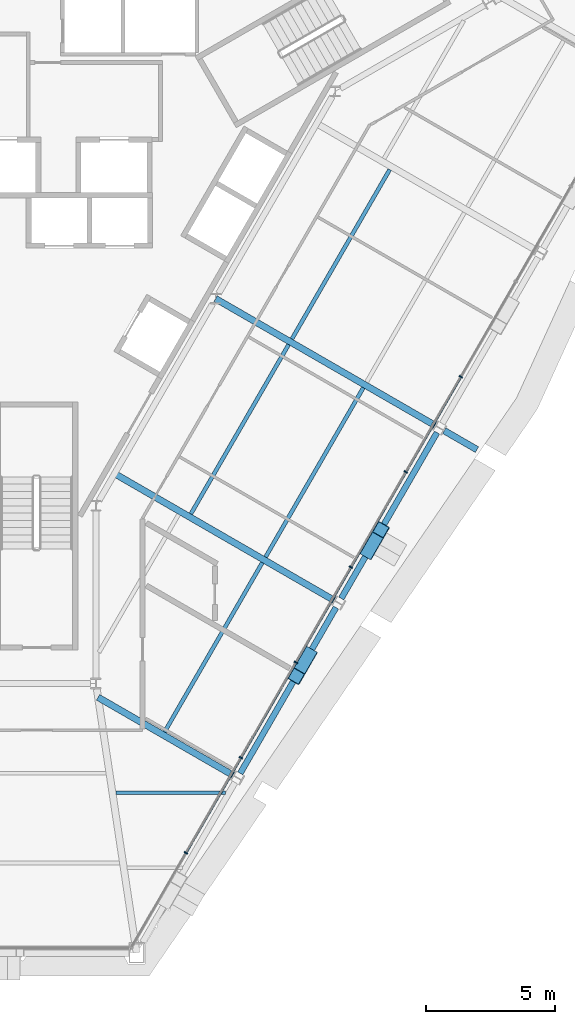
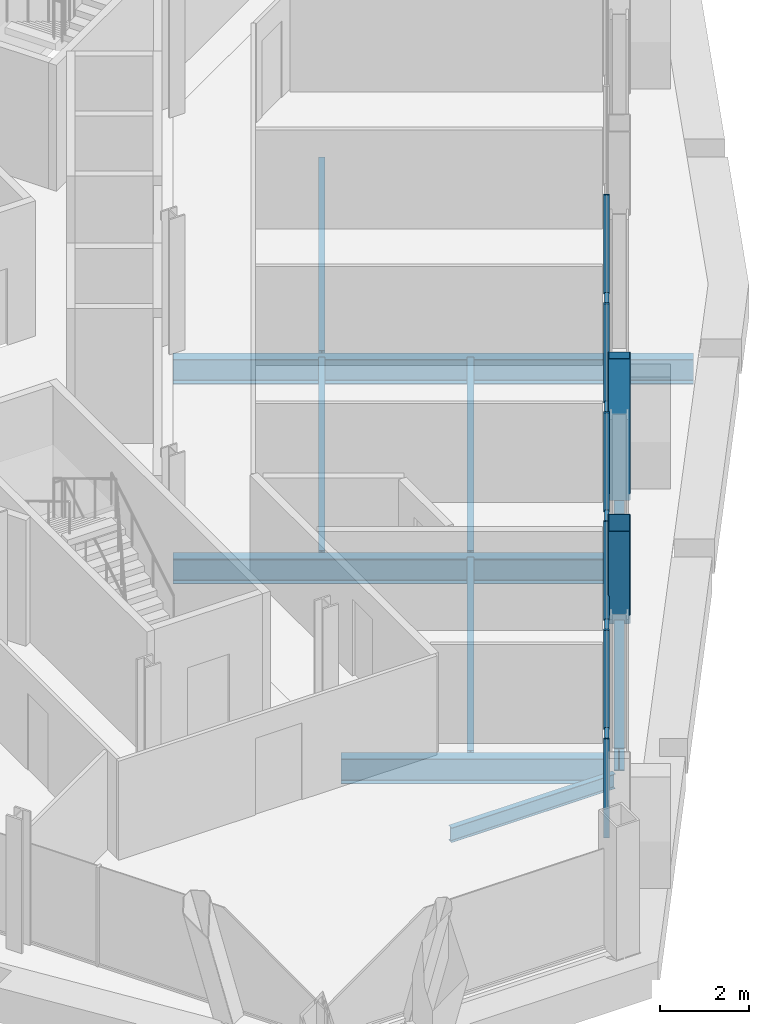
# One storey, part 6 of 17: 13 members, 11 beams, 1 element without a shape of its own.
"""IFC4 building model written with IfcOpenShell, lengths in metres."""

from ifc_helpers import new_model, si_unit, direction, frame, origin, origin_2d, place, context, subcontext, project, spatial, rectangle, hollow_rectangle, i_section, extrude, material, material_profile, profile_set, type_object, element, aggregate, save


model = new_model("IFC4")

# Units and contexts
model_context = context("Model", 3, precision=1e-05, world=origin(), true_north=direction((0.0, 1.0)))
body_context = subcontext(model_context, "Body", "Model", "MODEL_VIEW")
ifc_project = project(units=[si_unit("LENGTHUNIT", "METRE"), si_unit("AREAUNIT", "SQUARE_METRE"), si_unit("VOLUMEUNIT", "CUBIC_METRE"), si_unit("PLANEANGLEUNIT", "RADIAN"), si_unit("MASSUNIT", "GRAM", prefix="KILO")], contexts=[model_context])

# Site, building, storey
site_placement = place(None, origin())
site = spatial("IfcSite", under=ifc_project, at=site_placement, CompositionType="ELEMENT")
building_placement = place(site_placement, origin())
building = spatial("IfcBuilding", under=site, at=building_placement, Name="Verrane Prism Tower", CompositionType="ELEMENT")
storey_placement = place(building_placement, frame((0.0, 0.0, 182.10009765625)))
storey = spatial("IfcBuildingStorey", under=building, at=storey_placement, Name="L45", CompositionType="ELEMENT", Elevation=182.10009765625)

# Members
ifc_material_1 = material(Name="Steel A500 Grade C", Category="steel")
ifc_material_profile_1 = material_profile(ifc_material_1, hollow_rectangle(XDim=0.508056640625, YDim=0.508056640625, WallThickness=0.01904296875, InnerFilletRadius=0.009521484375, OuterFilletRadius=0.028564453125, at=origin_2d()), Name="HSS20x20x3/4")
ifc_profile_set_1 = profile_set([ifc_material_profile_1], Name="Steel A500 Grade C")
member_type_1 = type_object("IfcMemberType", Name="Facade brace HSS20x20x3/4", PredefinedType="BRACE", material=ifc_profile_set_1)
for number, where, z_axis, x_axis, name in (
    (1, (10.534912109375, -17.780029296875, -0.216796875), (-0.144565184454, -0.250228660193, 0.957333027249), (0.865882122788, -0.500248087888, 0.0), "Facade brace SE1 L45"),
    (2, (12.84521484375, -13.77978515625, -0.216796875), (0.144493588021, 0.250231304762, 0.957343144927), (-0.865991719008, 0.500058339205, 0.0), "Facade brace SE2 L45"),
):
    element("IfcMember", number, at=place(storey_placement, frame(where, z_axis=z_axis, x_axis=x_axis)), inside=storey, type_object=member_type_1, Name=name, PredefinedType="BRACE", context=body_context, shape_type="SweptSolid", body=[
        extrude(hollow_rectangle(XDim=0.508056640625, YDim=0.508056640625, WallThickness=0.01904296875, InnerFilletRadius=0.009521484375, OuterFilletRadius=0.028564453125, at=origin_2d()), origin(), (0.0, 0.0, 1.0), 3.338623046875),
    ])

# Beams
ifc_material_2 = material(Name="Steel A992", Category="steel")
ifc_material_profile_2 = material_profile(ifc_material_2, i_section(OverallWidth=0.140380859375, OverallDepth=0.40380859375, WebThickness=0.007080078125, FlangeThickness=0.01123046875, FilletRadius=0.01025390625, at=origin_2d()), Name="W16x31")
ifc_profile_set_2 = profile_set([ifc_material_profile_2], Name="Steel A992")
beam_type_1 = type_object("IfcBeamType", Name="Floor beam W16x31", PredefinedType="BEAM", material=ifc_profile_set_2)
beam_1_placement = place(storey_placement, frame((3.072021484375, -23.126708984375, -0.362060546875), z_axis=(1.0, 0.0, 0.0), x_axis=(0.0, 1.0, 0.0)))
element("IfcBeam", 3, at=beam_1_placement, inside=storey, type_object=beam_type_1, Name="Floor beam L45", PredefinedType="BEAM", context=body_context, shape_type="SweptSolid", body=[
    extrude(i_section(OverallWidth=0.140380859375, OverallDepth=0.40380859375, WebThickness=0.007080078125, FlangeThickness=0.01123046875, FilletRadius=0.01025390625, at=origin_2d()), origin(), (0.0, 0.0, 1.0), 4.2421875),
])
ifc_material_3 = material(Name="Steel A992", Category="steel")
ifc_material_profile_3 = material_profile(ifc_material_3, i_section(OverallWidth=0.15234375, OverallDepth=0.449462890625, WebThickness=0.007568359375, FlangeThickness=0.0107421875, FilletRadius=0.01025390625, at=origin_2d()), Name="W18x35")
ifc_profile_set_3 = profile_set([ifc_material_profile_3], Name="Steel A992")
beam_type_2 = type_object("IfcBeamType", Name="Floor beam W18x35", PredefinedType="BEAM", material=ifc_profile_set_3)
for number, where, z_axis, x_axis, name in (
    (4, (4.954345703125, -20.770751953125, -0.385009765625), (0.500013012896, 0.866017890655, 0.0), (-0.866017890655, 0.500013012896, 0.0), "Floor beam L45"),
    (5, (8.8642578125, -14.00048828125, -0.385009765625), (0.499988806058, 0.866031866513, 0.0), (-0.866031866513, 0.499988806058, 0.0), "Floor beam L45"),
):
    element("IfcBeam", number, at=place(storey_placement, frame(where, z_axis=z_axis, x_axis=x_axis)), inside=storey, type_object=beam_type_2, Name=name, PredefinedType="BEAM", context=body_context, shape_type="SweptSolid", body=[
        extrude(i_section(OverallWidth=0.15234375, OverallDepth=0.449462890625, WebThickness=0.007568359375, FlangeThickness=0.0107421875, FilletRadius=0.01025390625, at=origin_2d()), origin(), (0.0, 0.0, 1.0), 7.564208984375),
    ])
beam_2_placement = place(storey_placement, frame((5.973876953125, -12.330078125, -0.385009765625), z_axis=(0.500002782129, 0.866023797515, 0.0), x_axis=(-0.866023797515, 0.500002782129, 0.0)))
element("IfcBeam", 6, at=beam_2_placement, inside=storey, type_object=beam_type_2, Name="Floor beam L45", PredefinedType="BEAM", context=body_context, shape_type="SweptSolid", body=[
    extrude(i_section(OverallWidth=0.15234375, OverallDepth=0.449462890625, WebThickness=0.007568359375, FlangeThickness=0.0107421875, FilletRadius=0.01025390625, at=origin_2d()), origin(), (0.0, 0.0, 1.0), 7.56396484375),
])
beam_3_placement = place(storey_placement, frame((9.883544921875, -5.56005859375, -0.385009765625), z_axis=(0.499994291072, 0.86602869981, 0.0), x_axis=(-0.86602869981, 0.499994291072, 0.0)))
element("IfcBeam", 7, at=beam_3_placement, inside=storey, type_object=beam_type_2, Name="Floor beam L45", PredefinedType="BEAM", context=body_context, shape_type="SweptSolid", body=[
    extrude(i_section(OverallWidth=0.15234375, OverallDepth=0.449462890625, WebThickness=0.007568359375, FlangeThickness=0.0107421875, FilletRadius=0.01025390625, at=origin_2d()), origin(), (0.0, 0.0, 1.0), 7.56689453125),
])

# Curtain wall, members
ifc_material_4 = material(Name="Aluminium framed insulated glazing", Category="aluminium")
curtain_wall_type = type_object("IfcCurtainWallType", Name="Curtain wall CW-C 4200 module", PredefinedType="NOTDEFINED", material=ifc_material_4)
curtain_wall_placement = place(storey_placement, origin())
curtain_wall = element("IfcCurtainWall", 8, at=curtain_wall_placement, inside=storey, type_object=curtain_wall_type, Name="Glazed curtain wall south-east face L45", PredefinedType="NOTDEFINED")
ifc_material_5 = material(Name="Aluminium alloy 6063-T6", Category="aluminium")
ifc_material_profile_4 = material_profile(ifc_material_5, rectangle(XDim=0.139892578125, YDim=0.050048828125, at=origin_2d()), Name="Mullion 50x140 aluminium")
ifc_profile_set_4 = profile_set([ifc_material_profile_4], Name="Aluminium alloy 6063-T6")
member_type_2 = type_object("IfcMemberType", Name="Mullion 50x140 aluminium", PredefinedType="MULLION", material=ifc_profile_set_4)
member_1_placement = place(storey_placement, frame((5.779296875, -25.451904296875, 0.0), z_axis=(0.0, 0.0, 1.0), x_axis=(-0.866025734201, 0.499999427701, 0.0)))
member_1 = element("IfcMember", 9, at=member_1_placement, type_object=member_type_2, Name="CW44.6 mullion 2", PredefinedType="MULLION", context=body_context, shape_type="SweptSolid", body=[
    extrude(rectangle(XDim=0.139892578125, YDim=0.050048828125, at=origin_2d()), origin(), (0.0, 0.0, 1.0), 2.712890625),
])
member_2_placement = place(storey_placement, frame((7.907470703125, -21.76611328125, 0.0), z_axis=(0.0, 0.0, 1.0), x_axis=(-0.866025734201, 0.499999427701, 0.0)))
member_2 = element("IfcMember", 10, at=member_2_placement, type_object=member_type_2, Name="CW44.6 mullion 3", PredefinedType="MULLION", context=body_context, shape_type="SweptSolid", body=[
    extrude(rectangle(XDim=0.139892578125, YDim=0.050048828125, at=origin_2d()), origin(), (0.0, 0.0, 1.0), 2.712890625),
])
member_3_placement = place(storey_placement, frame((10.035400390625, -18.080078125, 0.0), z_axis=(0.0, 0.0, 1.0), x_axis=(-0.866025734201, 0.499999427701, 0.0)))
member_3 = element("IfcMember", 11, at=member_3_placement, type_object=member_type_2, Name="CW44.6 mullion 4", PredefinedType="MULLION", context=body_context, shape_type="SweptSolid", body=[
    extrude(rectangle(XDim=0.139892578125, YDim=0.050048828125, at=origin_2d()), origin(), (0.0, 0.0, 1.0), 2.712890625),
])
member_4_placement = place(storey_placement, frame((12.163330078125, -14.394287109375, 0.0), z_axis=(0.0, 0.0, 1.0), x_axis=(-0.866025734201, 0.499999427701, 0.0)))
member_4 = element("IfcMember", 12, at=member_4_placement, type_object=member_type_2, Name="CW44.6 mullion 5", PredefinedType="MULLION", context=body_context, shape_type="SweptSolid", body=[
    extrude(rectangle(XDim=0.139892578125, YDim=0.050048828125, at=origin_2d()), origin(), (0.0, 0.0, 1.0), 2.712890625),
])
member_5_placement = place(storey_placement, frame((14.29150390625, -10.70849609375, 0.0), z_axis=(0.0, 0.0, 1.0), x_axis=(-0.866025734201, 0.499999427701, 0.0)))
member_5 = element("IfcMember", 13, at=member_5_placement, type_object=member_type_2, Name="CW44.6 mullion 6", PredefinedType="MULLION", context=body_context, shape_type="SweptSolid", body=[
    extrude(rectangle(XDim=0.139892578125, YDim=0.050048828125, at=origin_2d()), origin(), (0.0, 0.0, 1.0), 2.712890625),
])
member_6_placement = place(storey_placement, frame((16.41943359375, -7.0224609375, 0.0), z_axis=(0.0, 0.0, 1.0), x_axis=(-0.866025734201, 0.499999427701, 0.0)))
member_6 = element("IfcMember", 14, at=member_6_placement, type_object=member_type_2, Name="CW44.6 mullion 7", PredefinedType="MULLION", context=body_context, shape_type="SweptSolid", body=[
    extrude(rectangle(XDim=0.139892578125, YDim=0.050048828125, at=origin_2d()), origin(), (0.0, 0.0, 1.0), 2.712890625),
])

# Beams
ifc_material_6 = material(Name="Steel A992", Category="steel")
ifc_material_profile_5 = material_profile(ifc_material_6, i_section(OverallWidth=0.25390625, OverallDepth=0.683349609375, WebThickness=0.012451171875, FlangeThickness=0.01904296875, FilletRadius=0.01513671875, at=origin_2d()), Name="W27x94")
ifc_profile_set_5 = profile_set([ifc_material_profile_5], Name="Steel A992")
beam_type_3 = type_object("IfcBeamType", Name="Radial girder W27x94", PredefinedType="BEAM", material=ifc_profile_set_5)
beam_4_placement = place(storey_placement, frame((7.599609375, -22.44580078125, -0.561767578125), z_axis=(-0.866028410322, 0.499994792488, 0.0), x_axis=(-0.499994792488, -0.866028410322, 0.0)))
element("IfcBeam", 15, at=beam_4_placement, inside=storey, type_object=beam_type_3, Name="Radial girder L45", PredefinedType="BEAM", context=body_context, shape_type="SweptSolid", body=[
    extrude(i_section(OverallWidth=0.25390625, OverallDepth=0.683349609375, WebThickness=0.012451171875, FlangeThickness=0.01904296875, FilletRadius=0.01513671875, at=origin_2d()), origin(), (0.0, 0.0, 1.0), 6.02685546875),
])
beam_5_placement = place(storey_placement, frame((11.509521484375, -15.67578125, -0.561767578125), z_axis=(-0.866024680886, 0.500001252094, 0.0), x_axis=(-0.500001252094, -0.866024680886, 0.0)))
element("IfcBeam", 16, at=beam_5_placement, inside=storey, type_object=beam_type_3, Name="Radial girder L45", PredefinedType="BEAM", context=body_context, shape_type="SweptSolid", body=[
    extrude(i_section(OverallWidth=0.25390625, OverallDepth=0.683349609375, WebThickness=0.012451171875, FlangeThickness=0.01904296875, FilletRadius=0.01513671875, at=origin_2d()), origin(), (0.0, 0.0, 1.0), 9.8037109375),
])
beam_6_placement = place(storey_placement, frame((15.419677734375, -8.906005859375, -0.561767578125), z_axis=(-0.866029684684, 0.499992585192, 0.0), x_axis=(-0.499992585192, -0.866029684684, 0.0)))
element("IfcBeam", 17, at=beam_6_placement, inside=storey, type_object=beam_type_3, Name="Radial girder L45", PredefinedType="BEAM", context=body_context, shape_type="SweptSolid", body=[
    extrude(i_section(OverallWidth=0.25390625, OverallDepth=0.683349609375, WebThickness=0.012451171875, FlangeThickness=0.01904296875, FilletRadius=0.01513671875, at=origin_2d()), origin(), (0.0, 0.0, 1.0), 9.805419921875),
])
beam_7_placement = place(storey_placement, frame((15.77685546875, -9.112060546875, -0.561767578125), z_axis=(0.865974312977, -0.500088481434, 0.0), x_axis=(0.500088481434, 0.865974312977, 0.0)))
element("IfcBeam", 18, at=beam_7_placement, inside=storey, type_object=beam_type_3, Name="Cantilever girder L45", PredefinedType="BEAM", context=body_context, shape_type="SweptSolid", body=[
    extrude(i_section(OverallWidth=0.25390625, OverallDepth=0.683349609375, WebThickness=0.012451171875, FlangeThickness=0.01904296875, FilletRadius=0.01513671875, at=origin_2d()), origin(), (0.0, 0.0, 1.0), 1.462646484375),
])
ifc_material_7 = material(Name="Steel A992", Category="steel")
ifc_material_profile_6 = material_profile(ifc_material_7, i_section(OverallWidth=0.23046875, OverallDepth=0.6171875, WebThickness=0.01318359375, FlangeThickness=0.022216796875, FilletRadius=0.012939453125, at=origin_2d()), Name="W24x94")
ifc_profile_set_6 = profile_set([ifc_material_profile_6], Name="Steel A992")
beam_type_4 = type_object("IfcBeamType", Name="Spandrel beam W24x94", PredefinedType="SPANDREL", material=ifc_profile_set_6)
for number, where, z_axis, x_axis, name in (
    (19, (7.881591796875, -22.3740234375, -0.46875), (0.50013874289, 0.86594528572, 0.0), (-0.86594528572, 0.50013874289, 0.0), "Spandrel beam L45"),
    (20, (11.79150390625, -15.60400390625, -0.46875), (0.50013874289, 0.86594528572, 0.0), (-0.86594528572, 0.50013874289, 0.0), "Spandrel beam L45"),
):
    element("IfcBeam", number, at=place(storey_placement, frame(where, z_axis=z_axis, x_axis=x_axis)), inside=storey, type_object=beam_type_4, Name=name, PredefinedType="SPANDREL", context=body_context, shape_type="SweptSolid", body=[
        extrude(i_section(OverallWidth=0.23046875, OverallDepth=0.6171875, WebThickness=0.01318359375, FlangeThickness=0.022216796875, FilletRadius=0.012939453125, at=origin_2d()), origin(), (0.0, 0.0, 1.0), 7.41162109375),
    ])

# Member
ifc_material_8 = material(Name="Aluminium alloy 6063-T6", Category="aluminium")
ifc_material_profile_7 = material_profile(ifc_material_8, rectangle(XDim=0.10009765625, YDim=0.050048828125, at=origin_2d()), Name="Transom 50x100 aluminium")
ifc_profile_set_7 = profile_set([ifc_material_profile_7], Name="Aluminium alloy 6063-T6")
member_type_3 = type_object("IfcMemberType", Name="Transom 50x100 aluminium", PredefinedType="USERDEFINED", material=ifc_profile_set_7)
member_7_placement = place(storey_placement, frame((5.791748046875, -25.43017578125, 0.02490234375), z_axis=(0.499997126074, 0.86602706304, 0.0), x_axis=(-0.86602706304, 0.499997126074, 0.0)))
member_7 = element("IfcMember", 21, at=member_7_placement, type_object=member_type_3, Name="CW44.6 transom 2", ObjectType="TRANSOM", PredefinedType="USERDEFINED", context=body_context, shape_type="SweptSolid", body=[
    extrude(rectangle(XDim=0.10009765625, YDim=0.050048828125, at=origin_2d()), origin(), (0.0, 0.0, 1.0), 4.2060546875),
])

member_8_placement = place(storey_placement, frame((7.919921875, -21.744384765625, 0.02490234375), z_axis=(0.499997126074, 0.86602706304, 0.0), x_axis=(-0.86602706304, 0.499997126074, 0.0)))
member_8 = element("IfcMember", 22, at=member_8_placement, type_object=member_type_3, Name="CW44.6 transom 3", ObjectType="TRANSOM", PredefinedType="USERDEFINED", context=body_context, shape_type="SweptSolid", body=[
    extrude(rectangle(XDim=0.10009765625, YDim=0.050048828125, at=origin_2d()), origin(), (0.0, 0.0, 1.0), 4.2060546875),
])

member_9_placement = place(storey_placement, frame((10.0478515625, -18.05859375, 0.02490234375), z_axis=(0.499997126074, 0.86602706304, 0.0), x_axis=(-0.86602706304, 0.499997126074, 0.0)))
member_9 = element("IfcMember", 23, at=member_9_placement, type_object=member_type_3, Name="CW44.6 transom 4", ObjectType="TRANSOM", PredefinedType="USERDEFINED", context=body_context, shape_type="SweptSolid", body=[
    extrude(rectangle(XDim=0.10009765625, YDim=0.050048828125, at=origin_2d()), origin(), (0.0, 0.0, 1.0), 4.2060546875),
])

member_10_placement = place(storey_placement, frame((12.176025390625, -14.37255859375, 0.02490234375), z_axis=(0.499997126074, 0.86602706304, 0.0), x_axis=(-0.86602706304, 0.499997126074, 0.0)))
member_10 = element("IfcMember", 24, at=member_10_placement, type_object=member_type_3, Name="CW44.6 transom 5", ObjectType="TRANSOM", PredefinedType="USERDEFINED", context=body_context, shape_type="SweptSolid", body=[
    extrude(rectangle(XDim=0.10009765625, YDim=0.050048828125, at=origin_2d()), origin(), (0.0, 0.0, 1.0), 4.2060546875),
])

member_11_placement = place(storey_placement, frame((14.303955078125, -10.686767578125, 0.02490234375), z_axis=(0.499997126074, 0.86602706304, 0.0), x_axis=(-0.86602706304, 0.499997126074, 0.0)))
member_11 = element("IfcMember", 25, at=member_11_placement, type_object=member_type_3, Name="CW44.6 transom 6", ObjectType="TRANSOM", PredefinedType="USERDEFINED", context=body_context, shape_type="SweptSolid", body=[
    extrude(rectangle(XDim=0.10009765625, YDim=0.050048828125, at=origin_2d()), origin(), (0.0, 0.0, 1.0), 4.2060546875),
])

aggregate(curtain_wall, [member_1, member_2, member_3, member_4, member_5, member_6, member_7, member_8, member_9, member_10, member_11])

save(model, "model.ifc")
